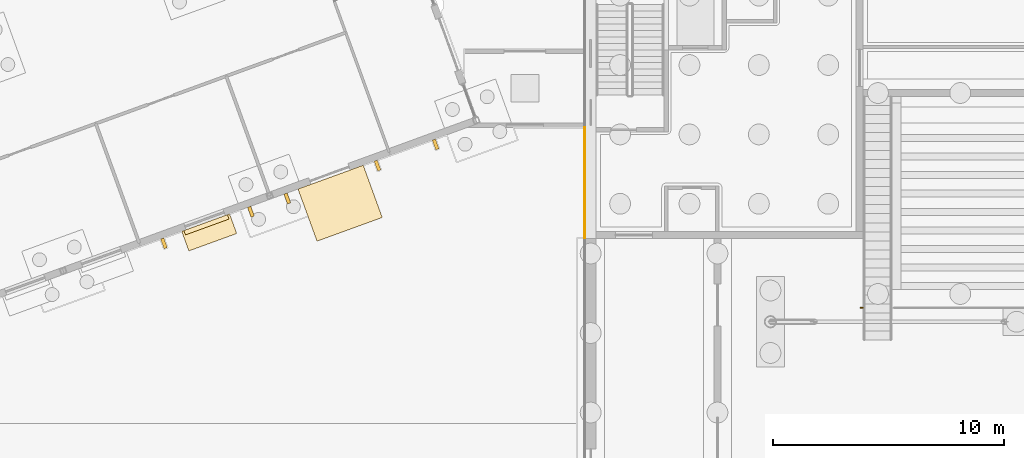
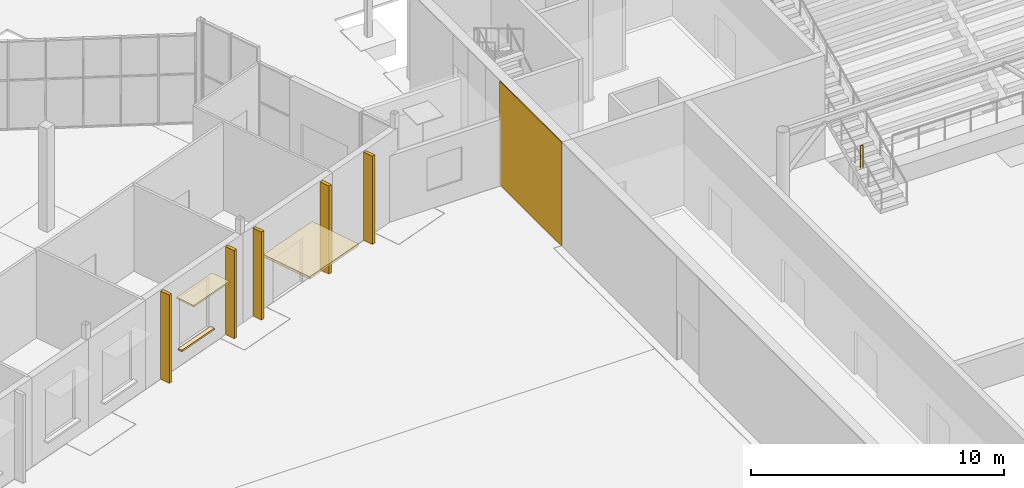
# One storey, part 135 of 157: 5 shading devices, 4 coverings, 1 railing.
"""IFC4 building model written with IfcOpenShell, lengths in metres."""

import ifcopenshell
import ifcopenshell.guid

model = None  # the IFC model being written
_history = None  # IfcOwnerHistory: only IFC2X3 demands one
_inside = {}  # id of a spatial element -> (the spatial element, [elements in it])
_under = {}  # id of a project, library or spatial element -> (it, [spatial elements below it])
_declared = {}  # id of a project -> (the project, [libraries it declares])
_typed = {}  # id of a type object -> (the type object, [elements of that type])
_made_of = {}  # id of a material, layer set ... -> (it, [elements and type objects made of it])


def new_model(schema):
    """Start an empty IFC model of exactly this schema.

    Asked for "IFC4X3", IfcOpenShell would pick the latest addendum, in which some entities
    have other attributes; the version numbers below select the first issue.
    IFC2X3 requires an IfcOwnerHistory on every rooted entity: one is made here for all.
    """
    global model, _history
    if schema == "IFC4X3":
        model = ifcopenshell.file(schema_version=(4, 3, 0, 0))
    else:
        model = ifcopenshell.file(schema=schema)
    _inside.clear()
    _under.clear()
    _declared.clear()
    _typed.clear()
    _made_of.clear()
    _history = None
    if model.schema == "IFC2X3":
        org = make("IfcOrganization", Name="unknown")
        user = make(
            "IfcPersonAndOrganization",
            ThePerson=make("IfcPerson", FamilyName="unknown"),
            TheOrganization=org,
        )
        app = make(
            "IfcApplication",
            ApplicationDeveloper=org,
            Version="unknown",
            ApplicationFullName="unknown",
            ApplicationIdentifier="unknown",
        )
        _history = make(
            "IfcOwnerHistory",
            OwningUser=user,
            OwningApplication=app,
            ChangeAction="ADDED",
            CreationDate=0,
        )
    return model


def make(cls, **values):
    """One entity of the class cls with the attributes given. An attribute that is None is left unset."""
    return model.create_entity(
        cls, **{name: value for name, value in values.items() if value is not None}
    )


def rooted(cls, **values):
    """An entity with a GlobalId (a new one), such as an element, a storey or a relation."""
    return make(cls, GlobalId=ifcopenshell.guid.new(), OwnerHistory=_history, **values)


def si_unit(unit_type, name, prefix=None):
    """IfcSIUnit, for example si_unit("LENGTHUNIT", "METRE", prefix="MILLI")."""
    return make("IfcSIUnit", UnitType=unit_type, Prefix=prefix, Name=name)


def assignment(units):
    """IfcUnitAssignment: the units of a project."""
    return None if units is None else make("IfcUnitAssignment", Units=units)


def point(xyz):
    """IfcCartesianPoint."""
    return None if xyz is None else make("IfcCartesianPoint", Coordinates=xyz)


def direction(xyz):
    """IfcDirection."""
    return None if xyz is None else make("IfcDirection", DirectionRatios=xyz)


def frame(location, z_axis=None, x_axis=None):
    """IfcAxis2Placement3D, a coordinate frame: its origin and axes. An axis left out is left unset."""
    return make(
        "IfcAxis2Placement3D",
        Location=point(location),
        Axis=direction(z_axis),
        RefDirection=direction(x_axis),
    )


def frame_2d(location, x_axis=None):
    """IfcAxis2Placement2D, a coordinate frame in the plane: its origin and x axis."""
    return make(
        "IfcAxis2Placement2D", Location=point(location), RefDirection=direction(x_axis)
    )


def origin():
    """The frame at (0, 0, 0) with its axes left unset."""
    return frame((0.0, 0.0, 0.0))


def origin_2d():
    """The frame at (0, 0) in the plane with its x axis left unset."""
    return frame_2d((0.0, 0.0))


def place(relative_to, where):
    """IfcLocalPlacement: puts the frame where relative to a parent placement (None: the world)."""
    return make(
        "IfcLocalPlacement", PlacementRelTo=relative_to, RelativePlacement=where
    )


def context(
    kind, dimensions, precision=None, world=None, true_north=None, identifier=None
):
    """IfcGeometricRepresentationContext, for example the 3D "Model" context."""
    return make(
        "IfcGeometricRepresentationContext",
        ContextIdentifier=identifier,
        ContextType=kind,
        CoordinateSpaceDimension=dimensions,
        Precision=precision,
        WorldCoordinateSystem=world,
        TrueNorth=true_north,
    )


def subcontext(parent, identifier, kind, view, scale=None):
    """IfcGeometricRepresentationSubContext, for example "Body" below "Model"."""
    return make(
        "IfcGeometricRepresentationSubContext",
        ContextIdentifier=identifier,
        ContextType=kind,
        ParentContext=parent,
        TargetScale=scale,
        TargetView=view,
    )


def project(units=None, contexts=None):
    """IfcProject with its units and contexts."""
    return rooted(
        "IfcProject",
        Name="project",
        RepresentationContexts=contexts,
        UnitsInContext=assignment(units),
    )


def spatial(cls, under=None, at=None, **own):
    """A site, building, storey or space (cls), placed at a placement, below another one or the project."""
    s = rooted(cls, ObjectPlacement=at, **own)
    if under is not None:
        _under.setdefault(under.id(), (under, []))[1].append(s)
    return s


def polyline(points):
    """IfcPolyline through the points."""
    return make("IfcPolyline", Points=[point(p) for p in points])


def profile(cls, at=None, kind="AREA", **sizes):
    """A parametric profile (cls). Its sizes go by their IFC names, for example OverallWidth=200.0."""
    return make(cls, ProfileType=kind, Position=at, **sizes)


def circle(**sizes):
    """IfcCircleProfileDef."""
    return profile("IfcCircleProfileDef", **sizes)


def outline(outer, holes=None, kind="AREA"):
    """IfcArbitraryClosedProfileDef: a profile drawn as a closed curve; with holes, ...WithVoids."""
    if holes is None:
        return make("IfcArbitraryClosedProfileDef", ProfileType=kind, OuterCurve=outer)
    return make(
        "IfcArbitraryProfileDefWithVoids",
        ProfileType=kind,
        OuterCurve=outer,
        InnerCurves=holes,
    )


def extrude(swept, where, along, depth):
    """IfcExtrudedAreaSolid: the profile swept, set in the frame where, extruded along a direction by depth."""
    return make(
        "IfcExtrudedAreaSolid",
        SweptArea=swept,
        Position=where,
        ExtrudedDirection=direction(along),
        Depth=depth,
    )


def shape(context_of_items, identifier, shape_type, items):
    """IfcShapeRepresentation: the items that make up one representation, for example the "Body"."""
    return make(
        "IfcShapeRepresentation",
        ContextOfItems=context_of_items,
        RepresentationIdentifier=identifier,
        RepresentationType=shape_type,
        Items=items,
    )


def material(Name=None, Category=None):
    """IfcMaterial."""
    return make("IfcMaterial", Name=Name, Category=Category)


def layer(
    of_material, thickness, ventilated=None, Name=None, Category=None, Priority=None
):
    """IfcMaterialLayer: one layer of a wall or slab, of a material (None: an air gap)."""
    return make(
        "IfcMaterialLayer",
        Material=of_material,
        LayerThickness=thickness,
        IsVentilated=ventilated,
        Name=Name,
        Category=Category,
        Priority=Priority,
    )


def layer_set(layers, Name=None):
    """IfcMaterialLayerSet."""
    return make("IfcMaterialLayerSet", MaterialLayers=layers, LayerSetName=Name)


def made_of(thing, what):
    """Note that an element or type object is made of a material, layer set ...; save() writes the relation."""
    if what is not None:
        _made_of.setdefault(what.id(), (what, []))[1].append(thing)
    return thing


def type_object(cls, material=None, **own):
    """A type object (cls), such as IfcWallType, which elements share."""
    return made_of(rooted(cls, **own), material)


def element(
    cls,
    number,
    at=None,
    inside=None,
    cuts=None,
    type_object=None,
    material=None,
    context=None,
    identifier="Body",
    shape_type=None,
    held_by="IfcProductDefinitionShape",
    body=None,
    shapes=None,
    **own,
):
    """One element of the class cls, such as IfcWall. Its Tag is "e" and its number.

    at: its placement. inside: the storey or other place that contains it. cuts: it is an
    opening in that element (IfcRelVoidsElement). A single representation is given by context,
    identifier, shape_type and body (its items); several are given by shapes. held_by: the class
    of the entity that holds the representations. save() writes the other relations.
    """
    e = rooted(cls, Tag="e%d" % number, ObjectPlacement=at, **own)
    if body is not None:
        shapes = [shape(context, identifier, shape_type, body)]
    if shapes is not None:
        e.Representation = make(held_by, Representations=shapes)
    if inside is not None:
        _inside.setdefault(inside.id(), (inside, []))[1].append(e)
    if cuts is not None:
        rooted(
            "IfcRelVoidsElement", RelatingBuildingElement=cuts, RelatedOpeningElement=e
        )
    if type_object is not None:
        _typed.setdefault(type_object.id(), (type_object, []))[1].append(e)
    return made_of(e, material)


def aggregate(whole, parts):
    """IfcRelAggregates: a whole, such as a stair, and the parts it consists of."""
    return rooted("IfcRelAggregates", RelatingObject=whole, RelatedObjects=parts)


def save(model, path):
    """Write the relations noted so far, then the file.

    IfcRelAggregates (storeys below a building ...), IfcRelContainedInSpatialStructure (elements
    in a storey), IfcRelDefinesByType, IfcRelAssociatesMaterial and IfcRelDeclares: one each for
    every whole, place, type object, material and project.
    """
    for whole, parts in _under.values():
        aggregate(whole, parts)
    for where, things in _inside.values():
        rooted(
            "IfcRelContainedInSpatialStructure",
            RelatedElements=things,
            RelatingStructure=where,
        )
    for kind, things in _typed.values():
        rooted("IfcRelDefinesByType", RelatedObjects=things, RelatingType=kind)
    for what, things in _made_of.values():
        rooted("IfcRelAssociatesMaterial", RelatedObjects=things, RelatingMaterial=what)
    for by, libraries in _declared.values():
        rooted("IfcRelDeclares", RelatingContext=by, RelatedDefinitions=libraries)
    model.write(path)


model = new_model("IFC4")

# Units and contexts
model_context = context("Model", 3, precision=1e-05, world=origin(), true_north=direction((0.0, 1.0)))
body_context = subcontext(model_context, "Body", "Model", "MODEL_VIEW")
ifc_project = project(units=[si_unit("LENGTHUNIT", "METRE"), si_unit("AREAUNIT", "SQUARE_METRE"), si_unit("VOLUMEUNIT", "CUBIC_METRE"), si_unit("PLANEANGLEUNIT", "RADIAN"), si_unit("MASSUNIT", "GRAM", prefix="KILO")], contexts=[model_context])

# Site, building, storey
site_placement = place(None, origin())
site = spatial("IfcSite", under=ifc_project, at=site_placement, CompositionType="ELEMENT")
building_placement = place(site_placement, origin())
building = spatial("IfcBuilding", under=site, at=building_placement, Name="Windward Yard Aquatics Centre", CompositionType="ELEMENT")
storey_placement = place(building_placement, origin())
storey = spatial("IfcBuildingStorey", under=building, at=storey_placement, Name="L00", CompositionType="ELEMENT", Elevation=0.0)

# Covering
ifc_material_1 = material(Name="Aluminium standing seam canopy on steel brackets", Category="steel")
ifc_layer_1 = layer(ifc_material_1, 0.1201171875)
ifc_layer_set_1 = layer_set([ifc_layer_1], Name="F entrance canopy aluminium 3000x2400")
covering_type_1 = type_object("IfcCoveringType", Name="F entrance canopy aluminium 3000x2400", PredefinedType="CLADDING", material=ifc_layer_set_1)
covering_1_placement = place(storey_placement, frame((0.0, 0.0, 2.5)))
element("IfcCovering", 1, at=covering_1_placement, inside=storey, type_object=covering_type_1, Name="Entrance canopy F0003", PredefinedType="CLADDING", context=body_context, shape_type="SweptSolid", body=[
    extrude(outline(polyline([(39.5732421875, 86.138916015625), (42.392333984375, 87.164794921875), (43.213134765625, 84.90966796875), (40.39404296875, 83.883544921875), (39.5732421875, 86.138916015625)])), origin(), (0.0, 0.0, 1.0), 0.1201171875),
])

# Shading devices
ifc_material_2 = material(Name="Aluminium fin, powder coated", Category="aluminium")
shading_device_type = type_object("IfcShadingDeviceType", Name="F vertical fin 150x450", PredefinedType="USERDEFINED", material=ifc_material_2)
shading_device_1_placement = place(storey_placement, origin())
element("IfcShadingDevice", 2, at=shading_device_1_placement, inside=storey, type_object=shading_device_type, Name="Vertical fin F.WL.L00.E05.1.1", ObjectType="FIN", PredefinedType="USERDEFINED", context=body_context, shape_type="SweptSolid", body=[
    extrude(outline(polyline([(33.629638671875, 83.9755859375), (33.7705078125, 84.02685546875), (33.924560546875, 83.60400390625), (33.783447265625, 83.552734375), (33.629638671875, 83.9755859375)])), origin(), (0.0, 0.0, 1.0), 4.2529296875),
])
shading_device_2_placement = place(storey_placement, origin())
element("IfcShadingDevice", 3, at=shading_device_2_placement, inside=storey, type_object=shading_device_type, Name="Vertical fin F.WL.L00.E05.2.1", ObjectType="FIN", PredefinedType="USERDEFINED", context=body_context, shape_type="SweptSolid", body=[
    extrude(outline(polyline([(37.388427734375, 85.34375), (37.529296875, 85.39501953125), (37.683349609375, 84.97216796875), (37.542236328125, 84.9208984375), (37.388427734375, 85.34375)])), origin(), (0.0, 0.0, 1.0), 4.2529296875),
])
shading_device_3_placement = place(storey_placement, origin())
element("IfcShadingDevice", 4, at=shading_device_3_placement, inside=storey, type_object=shading_device_type, Name="Vertical fin F.WL.L00.E06.1.1", ObjectType="FIN", PredefinedType="USERDEFINED", context=body_context, shape_type="SweptSolid", body=[
    extrude(outline(polyline([(38.96240234375, 85.91650390625), (39.103515625, 85.968017578125), (39.25732421875, 85.544921875), (39.1162109375, 85.49365234375), (38.96240234375, 85.91650390625)])), origin(), (0.0, 0.0, 1.0), 4.2529296875),
])
shading_device_4_placement = place(storey_placement, origin())
element("IfcShadingDevice", 5, at=shading_device_4_placement, inside=storey, type_object=shading_device_type, Name="Vertical fin F.WL.L00.E06.2.1", ObjectType="FIN", PredefinedType="USERDEFINED", context=body_context, shape_type="SweptSolid", body=[
    extrude(outline(polyline([(42.862060546875, 87.3359375), (43.003173828125, 87.38720703125), (43.156982421875, 86.96435546875), (43.01611328125, 86.9130859375), (42.862060546875, 87.3359375)])), origin(), (0.0, 0.0, 1.0), 4.2529296875),
])
shading_device_5_placement = place(storey_placement, origin())
element("IfcShadingDevice", 6, at=shading_device_5_placement, inside=storey, type_object=shading_device_type, Name="Vertical fin F.WL.L00.E07.1.1", ObjectType="FIN", PredefinedType="USERDEFINED", context=body_context, shape_type="SweptSolid", body=[
    extrude(outline(polyline([(45.375732421875, 88.250732421875), (45.516845703125, 88.302001953125), (45.670654296875, 87.87939453125), (45.52978515625, 87.827880859375), (45.375732421875, 88.250732421875)])), origin(), (0.0, 0.0, 1.0), 4.2529296875),
])

# Coverings
ifc_material_3 = material(Name="Aluminium composite hood, powder coated", Category="aluminium")
ifc_layer_2 = layer(ifc_material_3, 0.080078125)
ifc_layer_set_2 = layer_set([ifc_layer_2], Name="F window hood aluminium 2200x900")
covering_type_2 = type_object("IfcCoveringType", Name="F window hood aluminium 2200x900", PredefinedType="CLADDING", material=ifc_layer_set_2)
covering_2_placement = place(storey_placement, frame((0.0, 0.0, 3.35009765625)))
element("IfcCovering", 7, at=covering_2_placement, inside=storey, type_object=covering_type_2, Name="Window hood F0105", PredefinedType="CLADDING", context=body_context, shape_type="SweptSolid", body=[
    extrude(outline(polyline([(34.5458984375, 84.30908203125), (36.613037109375, 85.0615234375), (36.9208984375, 84.2158203125), (34.853515625, 83.46337890625), (34.5458984375, 84.30908203125)])), origin(), (0.0, 0.0, 1.0), 0.079833984375),
])
ifc_material_4 = material(Name="Limestone sill", Category="masonry")
ifc_layer_3 = layer(ifc_material_4, 0.080078125)
ifc_layer_set_3 = layer_set([ifc_layer_3], Name="F window sill stone 2000x200")
covering_type_3 = type_object("IfcCoveringType", Name="F window sill stone 2000x200", PredefinedType="CLADDING", material=ifc_layer_set_3)
covering_3_placement = place(storey_placement, frame((0.0, 0.0, 0.820068359375)))
element("IfcCovering", 8, at=covering_3_placement, inside=storey, type_object=covering_type_3, Name="Window sill F0105", PredefinedType="CLADDING", context=body_context, shape_type="SweptSolid", body=[
    extrude(outline(polyline([(34.639892578125, 84.34326171875), (36.519287109375, 85.02734375), (36.587646484375, 84.83935546875), (34.708251953125, 84.1552734375), (34.639892578125, 84.34326171875)])), origin(), (0.0, 0.0, 1.0), 0.079833984375),
])

# Railing
ifc_material_5 = material(Name="Stainless steel 1.4529", Category="steel")
railing_type = type_object("IfcRailingType", Name="H Guard Steel 1100", PredefinedType="GUARDRAIL", material=ifc_material_5)
railing_placement = place(storey_placement, frame((64.0, 81.0, 1.39990234375)))
element("IfcRailing", 9, at=railing_placement, inside=storey, type_object=railing_type, Name="Stand front barrier N1", PredefinedType="GUARDRAIL", context=body_context, shape_type="SweptSolid", body=[
    extrude(circle(Radius=0.02392578125, at=origin_2d()), frame((0.0, 0.0, 1.076171875), z_axis=(-1.0, 0.0, 0.0), x_axis=(0.0, -1.0, 0.0)), (0.0, 0.0, 1.0), 0.10009765625),
    extrude(circle(Radius=0.02099609375, at=origin_2d()), origin(), (0.0, 0.0, 1.0), 1.052001953125),
    extrude(circle(Radius=0.02099609375, at=origin_2d()), frame((-0.10009765625, 0.0, 0.0)), (0.0, 0.0, 1.0), 1.052001953125),
])

# Covering
ifc_material_6 = material(Name="Natural limestone cladding", Category="masonry")
ifc_layer_4 = layer(ifc_material_6, 0.0400390625)
ifc_layer_set_4 = layer_set([ifc_layer_4], Name="H natural stone cladding 40")
covering_type_4 = type_object("IfcCoveringType", Name="H natural stone cladding 40", PredefinedType="CLADDING", material=ifc_layer_set_4)
covering_4_placement = place(storey_placement, origin())
element("IfcCovering", 10, at=covering_4_placement, inside=storey, type_object=covering_type_4, Name="Stone cladding panel 71", PredefinedType="CLADDING", context=body_context, shape_type="SweptSolid", body=[
    extrude(outline(polyline([(51.9599609375, 84.0), (51.9599609375, 88.89990234375), (52.0, 88.89990234375), (52.0, 84.0), (51.9599609375, 84.0)])), origin(), (0.0, 0.0, 1.0), 5.0),
])

save(model, "model.ifc")
